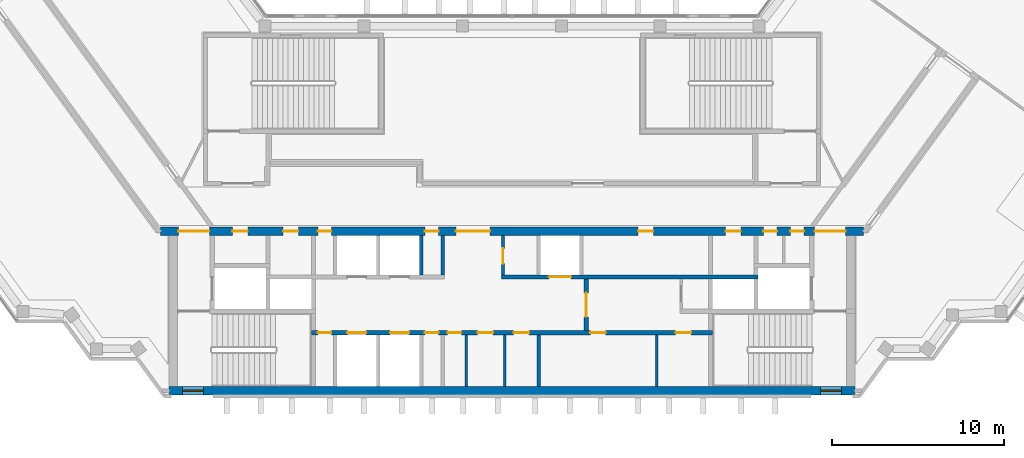
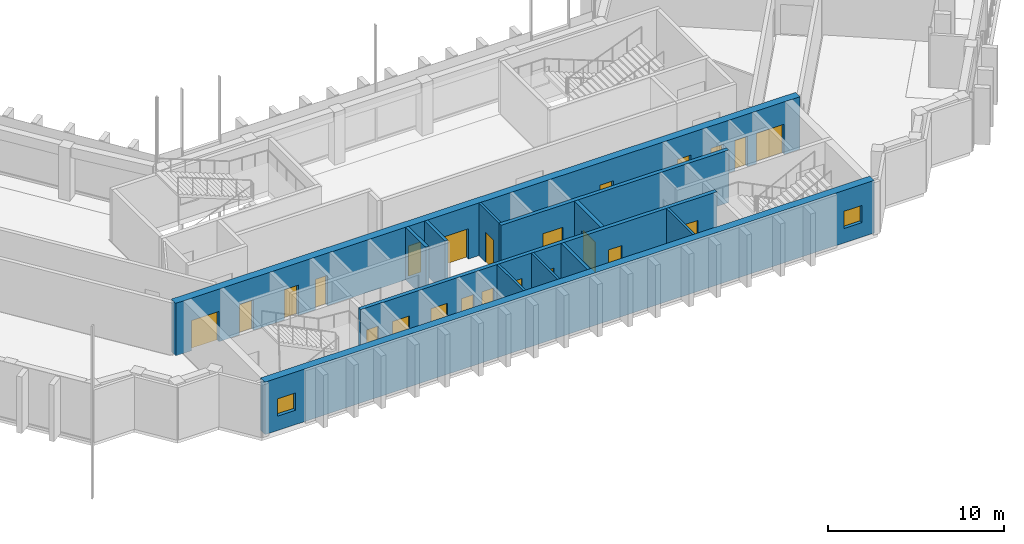
# One storey, part 10 of 14: 23 doors, 12 walls, 2 windows, 25 openings.
"""IFC4 building model written with IfcOpenShell, lengths in metres."""

from ifc_helpers import new_model, si_unit, direction, frame, frame_2d, origin, place, context, subcontext, project, spatial, rectangle, extrude, material, layer, layer_set, type_object, element, fill, save


model = new_model("IFC4")

# Units and contexts
model_context = context("Model", 3, precision=1e-05, world=origin(), true_north=direction((0.0, 1.0)))
body_context = subcontext(model_context, "Body", "Model", "MODEL_VIEW")
ifc_project = project(units=[si_unit("LENGTHUNIT", "METRE"), si_unit("AREAUNIT", "SQUARE_METRE"), si_unit("VOLUMEUNIT", "CUBIC_METRE"), si_unit("PLANEANGLEUNIT", "RADIAN"), si_unit("MASSUNIT", "GRAM", prefix="KILO")], contexts=[model_context])

# Site, building, storey
site_placement = place(None, origin())
site = spatial("IfcSite", under=ifc_project, at=site_placement, CompositionType="ELEMENT")
building_placement = place(site_placement, origin())
building = spatial("IfcBuilding", under=site, at=building_placement, Name="Quipu Civic Tower", CompositionType="ELEMENT")
storey_placement = place(building_placement, frame((0.0, 0.0, 311.0)))
storey = spatial("IfcBuildingStorey", under=building, at=storey_placement, Name="L72", CompositionType="ELEMENT", Elevation=311.0)

# Wall, openings, doors
ifc_material_1 = material(Name="Concrete C70/85", Category="concrete")
ifc_layer_1 = layer(ifc_material_1, 0.25)
ifc_layer_set_1 = layer_set([ifc_layer_1], Name="Concrete C70/85")
wall_type_1 = type_object("IfcWallType", Name="Core wall 250", PredefinedType="SHEAR", material=ifc_layer_set_1)
wall_1_placement = place(storey_placement, frame((11.699951171875, -7.375, 0.0), z_axis=(0.0, 0.0, 1.0), x_axis=(-1.0, 0.0, 0.0)))
wall_1 = element("IfcWall", 1, at=wall_1_placement, inside=storey, type_object=wall_type_1, Name="Core wall", PredefinedType="SHEAR", context=body_context, shape_type="SweptSolid", body=[
    extrude(rectangle(XDim=23.39990234375, YDim=0.25, at=frame_2d((11.699951171875, 0.0))), origin(), (0.0, 0.0, 1.0), 3.64990234375),
])
opening_1_placement = place(wall_1_placement, frame((22.22509765625, 0.0, 0.0)))
opening_1 = element("IfcOpeningElement", 2, at=opening_1_placement, cuts=wall_1, Name="Opening CD-01", PredefinedType="OPENING", context=body_context, shape_type="SweptSolid", body=[
    extrude(rectangle(XDim=0.800048828125, YDim=2.10009765625, at=frame_2d((0.39990234375, 1.050048828125))), frame((0.0, 0.135009765625, 0.0), z_axis=(0.0, -1.0, 0.0), x_axis=(1.0, 0.0, 0.0)), (0.0, 0.0, 1.0), 0.27001953125),
])
opening_2_placement = place(wall_1_placement, frame((20.199951171875, 0.0, 0.0)))
opening_2 = element("IfcOpeningElement", 3, at=opening_2_placement, cuts=wall_1, Name="Opening LD-HL1", PredefinedType="OPENING", context=body_context, shape_type="SweptSolid", body=[
    extrude(rectangle(XDim=1.10009765625, YDim=2.10009765625, at=frame_2d((0.550048828125, 1.050048828125))), frame((0.0, 0.135009765625, 0.0), z_axis=(0.0, -1.0, 0.0), x_axis=(1.0, 0.0, 0.0)), (0.0, 0.0, 1.0), 0.27001953125),
])
opening_3_placement = place(wall_1_placement, frame((17.699951171875, 0.0, 0.0)))
opening_3 = element("IfcOpeningElement", 4, at=opening_3_placement, cuts=wall_1, Name="Opening LD-HL2", PredefinedType="OPENING", context=body_context, shape_type="SweptSolid", body=[
    extrude(rectangle(XDim=1.10009765625, YDim=2.10009765625, at=frame_2d((0.550048828125, 1.050048828125))), frame((0.0, 0.135009765625, 0.0), z_axis=(0.0, -1.0, 0.0), x_axis=(1.0, 0.0, 0.0)), (0.0, 0.0, 1.0), 0.27001953125),
])
opening_4_placement = place(wall_1_placement, frame((15.97509765625, 0.0, 0.0)))
opening_4 = element("IfcOpeningElement", 5, at=opening_4_placement, cuts=wall_1, Name="Opening CD-02", PredefinedType="OPENING", context=body_context, shape_type="SweptSolid", body=[
    extrude(rectangle(XDim=0.800048828125, YDim=2.10009765625, at=frame_2d((0.39990234375, 1.050048828125))), frame((0.0, 0.135009765625, 0.0), z_axis=(0.0, -1.0, 0.0), x_axis=(1.0, 0.0, 0.0)), (0.0, 0.0, 1.0), 0.27001953125),
])
opening_5_placement = place(wall_1_placement, frame((14.64990234375, 0.0, 0.0)))
opening_5 = element("IfcOpeningElement", 6, at=opening_5_placement, cuts=wall_1, Name="Opening CD-03", PredefinedType="OPENING", context=body_context, shape_type="SweptSolid", body=[
    extrude(rectangle(XDim=0.800048828125, YDim=2.10009765625, at=frame_2d((0.39990234375, 1.050048828125))), frame((0.0, 0.135009765625, 0.0), z_axis=(0.0, -1.0, 0.0), x_axis=(1.0, 0.0, 0.0)), (0.0, 0.0, 1.0), 0.27001953125),
])
opening_6_placement = place(wall_1_placement, frame((12.800048828125, 0.0, 0.0)))
opening_6 = element("IfcOpeningElement", 7, at=opening_6_placement, cuts=wall_1, Name="Opening CD-04", PredefinedType="OPENING", context=body_context, shape_type="SweptSolid", body=[
    extrude(rectangle(XDim=0.89990234375, YDim=2.10009765625, at=frame_2d((0.449951171875, 1.050048828125))), frame((0.0, 0.135009765625, 0.0), z_axis=(0.0, -1.0, 0.0), x_axis=(1.0, 0.0, 0.0)), (0.0, 0.0, 1.0), 0.27001953125),
])
opening_7_placement = place(wall_1_placement, frame((10.699951171875, 0.0, 0.0)))
opening_7 = element("IfcOpeningElement", 8, at=opening_7_placement, cuts=wall_1, Name="Opening CD-05", PredefinedType="OPENING", context=body_context, shape_type="SweptSolid", body=[
    extrude(rectangle(XDim=0.89990234375, YDim=2.10009765625, at=frame_2d((0.449951171875, 1.050048828125))), frame((0.0, 0.135009765625, 0.0), z_axis=(0.0, -1.0, 0.0), x_axis=(1.0, 0.0, 0.0)), (0.0, 0.0, 1.0), 0.27001953125),
])
opening_8_placement = place(wall_1_placement, frame((6.237060546875, 0.0, 0.0)))
opening_8 = element("IfcOpeningElement", 9, at=opening_8_placement, cuts=wall_1, Name="Opening CD-06", PredefinedType="OPENING", context=body_context, shape_type="SweptSolid", body=[
    extrude(rectangle(XDim=0.89990234375, YDim=2.10009765625, at=frame_2d((0.449951171875, 1.050048828125))), frame((0.0, 0.135009765625, 0.0), z_axis=(0.0, -1.0, 0.0), x_axis=(1.0, 0.0, 0.0)), (0.0, 0.0, 1.0), 0.27001953125),
])
opening_9_placement = place(wall_1_placement, frame((1.262939453125, 0.0, 0.0)))
opening_9 = element("IfcOpeningElement", 10, at=opening_9_placement, cuts=wall_1, Name="Opening CD-07", PredefinedType="OPENING", context=body_context, shape_type="SweptSolid", body=[
    extrude(rectangle(XDim=0.89990234375, YDim=2.10009765625, at=frame_2d((0.449951171875, 1.050048828125))), frame((0.0, 0.135009765625, 0.0), z_axis=(0.0, -1.0, 0.0), x_axis=(1.0, 0.0, 0.0)), (0.0, 0.0, 1.0), 0.27001953125),
])
ifc_material_2 = material(Name="Fire rated steel door", Category="steel")
door_type_1 = type_object("IfcDoorType", Name="Fire door FD60 800 x 2100", OperationType="NOTDEFINED", PredefinedType="DOOR", material=ifc_material_2)
door_1_placement = place(opening_1_placement, origin())
door_1 = element("IfcDoor", 11, at=door_1_placement, inside=storey, type_object=door_type_1, Name="Door", OperationType="SINGLE_SWING_RIGHT", OverallHeight=2.10009765625, OverallWidth=0.800048828125, PredefinedType="DOOR", context=body_context, shape_type="SweptSolid", body=[
    extrude(rectangle(XDim=0.800048828125, YDim=2.10009765625, at=frame_2d((0.39990234375, 1.050048828125))), frame((0.0, 0.02490234375, 0.0), z_axis=(0.0, -1.0, 0.0), x_axis=(1.0, 0.0, 0.0)), (0.0, 0.0, 1.0), 0.050048828125),
])
fill(opening_1, door_1)
door_2_placement = place(opening_4_placement, origin())
door_2 = element("IfcDoor", 12, at=door_2_placement, inside=storey, type_object=door_type_1, Name="Door", OperationType="SINGLE_SWING_RIGHT", OverallHeight=2.10009765625, OverallWidth=0.800048828125, PredefinedType="DOOR", context=body_context, shape_type="SweptSolid", body=[
    extrude(rectangle(XDim=0.800048828125, YDim=2.10009765625, at=frame_2d((0.39990234375, 1.050048828125))), frame((0.0, 0.02490234375, 0.0), z_axis=(0.0, -1.0, 0.0), x_axis=(1.0, 0.0, 0.0)), (0.0, 0.0, 1.0), 0.050048828125),
])
fill(opening_4, door_2)
door_3_placement = place(opening_5_placement, origin())
door_3 = element("IfcDoor", 13, at=door_3_placement, inside=storey, type_object=door_type_1, Name="Door", OperationType="SINGLE_SWING_RIGHT", OverallHeight=2.10009765625, OverallWidth=0.800048828125, PredefinedType="DOOR", context=body_context, shape_type="SweptSolid", body=[
    extrude(rectangle(XDim=0.800048828125, YDim=2.10009765625, at=frame_2d((0.39990234375, 1.050048828125))), frame((0.0, 0.02490234375, 0.0), z_axis=(0.0, -1.0, 0.0), x_axis=(1.0, 0.0, 0.0)), (0.0, 0.0, 1.0), 0.050048828125),
])
fill(opening_5, door_3)
ifc_material_3 = material(Name="Fire rated steel door", Category="steel")
door_type_2 = type_object("IfcDoorType", Name="Fire door FD60 900 x 2100", OperationType="NOTDEFINED", PredefinedType="DOOR", material=ifc_material_3)
door_4_placement = place(opening_6_placement, origin())
door_4 = element("IfcDoor", 14, at=door_4_placement, inside=storey, type_object=door_type_2, Name="WC door", OperationType="SINGLE_SWING_RIGHT", OverallHeight=2.10009765625, OverallWidth=0.89990234375, PredefinedType="DOOR", context=body_context, shape_type="SweptSolid", body=[
    extrude(rectangle(XDim=0.89990234375, YDim=2.10009765625, at=frame_2d((0.449951171875, 1.050048828125))), frame((0.0, 0.02490234375, 0.0), z_axis=(0.0, -1.0, 0.0), x_axis=(1.0, 0.0, 0.0)), (0.0, 0.0, 1.0), 0.050048828125),
])
fill(opening_6, door_4)
door_5_placement = place(opening_7_placement, origin())
door_5 = element("IfcDoor", 15, at=door_5_placement, inside=storey, type_object=door_type_2, Name="WC door", OperationType="SINGLE_SWING_LEFT", OverallHeight=2.10009765625, OverallWidth=0.89990234375, PredefinedType="DOOR", context=body_context, shape_type="SweptSolid", body=[
    extrude(rectangle(XDim=0.89990234375, YDim=2.10009765625, at=frame_2d((0.449951171875, 1.050048828125))), frame((0.0, 0.02490234375, 0.0), z_axis=(0.0, -1.0, 0.0), x_axis=(1.0, 0.0, 0.0)), (0.0, 0.0, 1.0), 0.050048828125),
])
fill(opening_7, door_5)
door_6_placement = place(opening_8_placement, origin())
door_6 = element("IfcDoor", 16, at=door_6_placement, inside=storey, type_object=door_type_2, Name="Door", OperationType="SINGLE_SWING_LEFT", OverallHeight=2.10009765625, OverallWidth=0.89990234375, PredefinedType="DOOR", context=body_context, shape_type="SweptSolid", body=[
    extrude(rectangle(XDim=0.89990234375, YDim=2.10009765625, at=frame_2d((0.449951171875, 1.050048828125))), frame((0.0, 0.02490234375, 0.0), z_axis=(0.0, -1.0, 0.0), x_axis=(1.0, 0.0, 0.0)), (0.0, 0.0, 1.0), 0.050048828125),
])
fill(opening_8, door_6)
door_7_placement = place(opening_9_placement, origin())
door_7 = element("IfcDoor", 17, at=door_7_placement, inside=storey, type_object=door_type_2, Name="Door", OperationType="SINGLE_SWING_LEFT", OverallHeight=2.10009765625, OverallWidth=0.89990234375, PredefinedType="DOOR", context=body_context, shape_type="SweptSolid", body=[
    extrude(rectangle(XDim=0.89990234375, YDim=2.10009765625, at=frame_2d((0.449951171875, 1.050048828125))), frame((0.0, 0.02490234375, 0.0), z_axis=(0.0, -1.0, 0.0), x_axis=(1.0, 0.0, 0.0)), (0.0, 0.0, 1.0), 0.050048828125),
])
fill(opening_9, door_7)
ifc_material_4 = material(Name="Stainless steel", Category="steel")
door_type_3 = type_object("IfcDoorType", Name="Lift landing door 1100 x 2100", OperationType="DOUBLE_DOOR_SLIDING", PredefinedType="DOOR", material=ifc_material_4)
door_8_placement = place(opening_2_placement, origin())
door_8 = element("IfcDoor", 18, at=door_8_placement, inside=storey, type_object=door_type_3, Name="Landing door HL1", OperationType="DOUBLE_DOOR_SLIDING", OverallHeight=2.10009765625, OverallWidth=1.10009765625, PredefinedType="DOOR", context=body_context, shape_type="SweptSolid", body=[
    extrude(rectangle(XDim=1.10009765625, YDim=2.10009765625, at=frame_2d((0.550048828125, 1.050048828125))), frame((0.0, 0.02490234375, 0.0), z_axis=(0.0, -1.0, 0.0), x_axis=(1.0, 0.0, 0.0)), (0.0, 0.0, 1.0), 0.050048828125),
])
fill(opening_2, door_8)
door_9_placement = place(opening_3_placement, origin())
door_9 = element("IfcDoor", 19, at=door_9_placement, inside=storey, type_object=door_type_3, Name="Landing door HL2", OperationType="DOUBLE_DOOR_SLIDING", OverallHeight=2.10009765625, OverallWidth=1.10009765625, PredefinedType="DOOR", context=body_context, shape_type="SweptSolid", body=[
    extrude(rectangle(XDim=1.10009765625, YDim=2.10009765625, at=frame_2d((0.550048828125, 1.050048828125))), frame((0.0, 0.02490234375, 0.0), z_axis=(0.0, -1.0, 0.0), x_axis=(1.0, 0.0, 0.0)), (0.0, 0.0, 1.0), 0.050048828125),
])
fill(opening_3, door_9)

# Wall, opening, door
wall_2_placement = place(storey_placement, frame((4.324951171875, -7.25, 0.0), z_axis=(0.0, 0.0, 1.0), x_axis=(0.0, 1.0, 0.0)))
wall_2 = element("IfcWall", 20, at=wall_2_placement, inside=storey, type_object=wall_type_1, Name="Core wall", PredefinedType="SHEAR", context=body_context, shape_type="SweptSolid", body=[
    extrude(rectangle(XDim=3.0, YDim=0.25, at=frame_2d((1.5, 0.0))), origin(), (0.0, 0.0, 1.0), 3.64990234375),
])
opening_10_placement = place(wall_2_placement, frame((0.800048828125, 0.0, 0.0)))
opening_10 = element("IfcOpeningElement", 21, at=opening_10_placement, cuts=wall_2, Name="Opening CD-10", PredefinedType="OPENING", context=body_context, shape_type="SweptSolid", body=[
    extrude(rectangle(XDim=1.39990234375, YDim=2.10009765625, at=frame_2d((0.699951171875, 1.050048828125))), frame((0.0, 0.135009765625, 0.0), z_axis=(0.0, -1.0, 0.0), x_axis=(1.0, 0.0, 0.0)), (0.0, 0.0, 1.0), 0.27001953125),
])
ifc_material_5 = material(Name="Fire rated steel door", Category="steel")
door_type_4 = type_object("IfcDoorType", Name="Fire door FD60 double 1400 x 2100", OperationType="NOTDEFINED", PredefinedType="DOOR", material=ifc_material_5)
door_10_placement = place(opening_10_placement, origin())
door_10 = element("IfcDoor", 22, at=door_10_placement, inside=storey, type_object=door_type_4, Name="Hall door", OperationType="DOUBLE_DOOR_SINGLE_SWING", OverallHeight=2.10009765625, OverallWidth=1.39990234375, PredefinedType="DOOR", context=body_context, shape_type="SweptSolid", body=[
    extrude(rectangle(XDim=1.39990234375, YDim=2.10009765625, at=frame_2d((0.699951171875, 1.050048828125))), frame((0.0, 0.02490234375, 0.0), z_axis=(0.0, -1.0, 0.0), x_axis=(1.0, 0.0, 0.0)), (0.0, 0.0, 1.0), 0.050048828125),
])
fill(opening_10, door_10)

wall_3_placement = place(storey_placement, frame((-0.60009765625, -4.125, 0.0), z_axis=(0.0, 0.0, 1.0), x_axis=(1.0, 0.0, 0.0)))
wall_3 = element("IfcWall", 23, at=wall_3_placement, inside=storey, type_object=wall_type_1, Name="Core wall", PredefinedType="SHEAR", context=body_context, shape_type="SweptSolid", body=[
    extrude(rectangle(XDim=14.9501953125, YDim=0.25, at=frame_2d((7.47509765625, 0.0))), origin(), (0.0, 0.0, 1.0), 3.64990234375),
])
opening_11_placement = place(wall_3_placement, frame((2.75, 0.0, 0.0)))
opening_11 = element("IfcOpeningElement", 24, at=opening_11_placement, cuts=wall_3, Name="Opening LD-FF3", PredefinedType="OPENING", context=body_context, shape_type="SweptSolid", body=[
    extrude(rectangle(XDim=1.300048828125, YDim=2.10009765625, at=frame_2d((0.64990234375, 1.050048828125))), frame((0.0, 0.135009765625, 0.0), z_axis=(0.0, -1.0, 0.0), x_axis=(1.0, 0.0, 0.0)), (0.0, 0.0, 1.0), 0.27001953125),
])
ifc_material_6 = material(Name="Stainless steel", Category="steel")
door_type_5 = type_object("IfcDoorType", Name="Lift landing door 1300 x 2100", OperationType="DOUBLE_DOOR_SLIDING", PredefinedType="DOOR", material=ifc_material_6)
door_11_placement = place(opening_11_placement, origin())
door_11 = element("IfcDoor", 25, at=door_11_placement, inside=storey, type_object=door_type_5, Name="Landing door FF3", OperationType="DOUBLE_DOOR_SLIDING", OverallHeight=2.10009765625, OverallWidth=1.300048828125, PredefinedType="DOOR", context=body_context, shape_type="SweptSolid", body=[
    extrude(rectangle(XDim=1.300048828125, YDim=2.10009765625, at=frame_2d((0.64990234375, 1.050048828125))), frame((0.0, 0.02490234375, 0.0), z_axis=(0.0, -1.0, 0.0), x_axis=(1.0, 0.0, 0.0)), (0.0, 0.0, 1.0), 0.050048828125),
])
fill(opening_11, door_11)

# Wall, openings, windows
ifc_material_7 = material(Name="Concrete C70/85", Category="concrete")
ifc_layer_2 = layer(ifc_material_7, 0.5)
ifc_layer_set_2 = layer_set([ifc_layer_2], Name="Concrete C70/85")
wall_type_2 = type_object("IfcWallType", Name="Core wall 500", PredefinedType="SHEAR", material=ifc_layer_set_2)
wall_4_placement = place(storey_placement, frame((-20.0, -10.75, 0.0), z_axis=(0.0, 0.0, 1.0), x_axis=(1.0, 0.0, 0.0)))
wall_4 = element("IfcWall", 26, at=wall_4_placement, inside=storey, type_object=wall_type_2, Name="Core wall", PredefinedType="SHEAR", context=body_context, shape_type="SweptSolid", body=[
    extrude(rectangle(XDim=40.0, YDim=0.5, at=frame_2d((20.0, 0.0))), origin(), (0.0, 0.0, 1.0), 3.64990234375),
])
opening_12_placement = place(wall_4_placement, frame((0.800048828125, 0.0, 1.0)))
opening_12 = element("IfcOpeningElement", 27, at=opening_12_placement, cuts=wall_4, Name="Opening SV-1", PredefinedType="OPENING", context=body_context, shape_type="SweptSolid", body=[
    extrude(rectangle(XDim=1.199951171875, YDim=1.199951171875, at=frame_2d((0.60009765625, 0.60009765625))), frame((0.0, 0.260009765625, 0.0), z_axis=(0.0, -1.0, 0.0), x_axis=(1.0, 0.0, 0.0)), (0.0, 0.0, 1.0), 0.52001953125),
])
opening_13_placement = place(wall_4_placement, frame((38.0, 0.0, 1.0)))
opening_13 = element("IfcOpeningElement", 28, at=opening_13_placement, cuts=wall_4, Name="Opening SV-2", PredefinedType="OPENING", context=body_context, shape_type="SweptSolid", body=[
    extrude(rectangle(XDim=1.199951171875, YDim=1.199951171875, at=frame_2d((0.60009765625, 0.60009765625))), frame((0.0, 0.260009765625, 0.0), z_axis=(0.0, -1.0, 0.0), x_axis=(1.0, 0.0, 0.0)), (0.0, 0.0, 1.0), 0.52001953125),
])
ifc_material_8 = material(Name="Aluminium louvre", Category="aluminium")
window_type = type_object("IfcWindowType", Name="Stair ventilation louvre 1200 x 1200", PartitioningType="SINGLE_PANEL", PredefinedType="WINDOW", material=ifc_material_8)
window_1_placement = place(opening_12_placement, origin())
window_1 = element("IfcWindow", 29, at=window_1_placement, inside=storey, type_object=window_type, Name="Stair ventilation opening", OverallHeight=1.199951171875, OverallWidth=1.199951171875, PartitioningType="SINGLE_PANEL", PredefinedType="WINDOW", context=body_context, shape_type="SweptSolid", body=[
    extrude(rectangle(XDim=1.199951171875, YDim=1.199951171875, at=frame_2d((0.60009765625, 0.60009765625))), frame((0.0, 0.030029296875, 0.0), z_axis=(0.0, -1.0, 0.0), x_axis=(1.0, 0.0, 0.0)), (0.0, 0.0, 1.0), 0.06005859375),
])
fill(opening_12, window_1)
window_2_placement = place(opening_13_placement, origin())
window_2 = element("IfcWindow", 30, at=window_2_placement, inside=storey, type_object=window_type, Name="Stair ventilation opening", OverallHeight=1.199951171875, OverallWidth=1.199951171875, PartitioningType="SINGLE_PANEL", PredefinedType="WINDOW", context=body_context, shape_type="SweptSolid", body=[
    extrude(rectangle(XDim=1.199951171875, YDim=1.199951171875, at=frame_2d((0.60009765625, 0.60009765625))), frame((0.0, 0.030029296875, 0.0), z_axis=(0.0, -1.0, 0.0), x_axis=(1.0, 0.0, 0.0)), (0.0, 0.0, 1.0), 0.06005859375),
])
fill(opening_13, window_2)

# Wall, openings, doors
wall_5_placement = place(storey_placement, frame((20.489990234375, -1.449951171875, 0.0), z_axis=(0.0, 0.0, 1.0), x_axis=(-1.0, 0.0, 0.0)))
wall_5 = element("IfcWall", 31, at=wall_5_placement, inside=storey, type_object=wall_type_2, Name="Core wall", PredefinedType="SHEAR", context=body_context, shape_type="SweptSolid", body=[
    extrude(rectangle(XDim=40.97998046875, YDim=0.5, at=frame_2d((20.489990234375, 0.0))), origin(), (0.0, 0.0, 1.0), 3.64990234375),
])
opening_14_placement = place(wall_5_placement, frame((38.139892578125, 0.0, 0.0)))
opening_14 = element("IfcOpeningElement", 32, at=opening_14_placement, cuts=wall_5, Name="Opening CD-13", PredefinedType="OPENING", context=body_context, shape_type="SweptSolid", body=[
    extrude(rectangle(XDim=1.800048828125, YDim=2.10009765625, at=frame_2d((0.89990234375, 1.050048828125))), frame((0.0, 0.260009765625, 0.0), z_axis=(0.0, -1.0, 0.0), x_axis=(1.0, 0.0, 0.0)), (0.0, 0.0, 1.0), 0.52001953125),
])
opening_15_placement = place(wall_5_placement, frame((35.889892578125, 0.0, 0.0)))
opening_15 = element("IfcOpeningElement", 33, at=opening_15_placement, cuts=wall_5, Name="Opening CD-14", PredefinedType="OPENING", context=body_context, shape_type="SweptSolid", body=[
    extrude(rectangle(XDim=0.89990234375, YDim=2.10009765625, at=frame_2d((0.449951171875, 1.050048828125))), frame((0.0, 0.260009765625, 0.0), z_axis=(0.0, -1.0, 0.0), x_axis=(1.0, 0.0, 0.0)), (0.0, 0.0, 1.0), 0.52001953125),
])
opening_16_placement = place(wall_5_placement, frame((32.93994140625, 0.0, 0.0)))
opening_16 = element("IfcOpeningElement", 34, at=opening_16_placement, cuts=wall_5, Name="Opening CD-15", PredefinedType="OPENING", context=body_context, shape_type="SweptSolid", body=[
    extrude(rectangle(XDim=0.89990234375, YDim=2.10009765625, at=frame_2d((0.449951171875, 1.050048828125))), frame((0.0, 0.260009765625, 0.0), z_axis=(0.0, -1.0, 0.0), x_axis=(1.0, 0.0, 0.0)), (0.0, 0.0, 1.0), 0.52001953125),
])
opening_17_placement = place(wall_5_placement, frame((31.014892578125, 0.0, 0.0)))
opening_17 = element("IfcOpeningElement", 35, at=opening_17_placement, cuts=wall_5, Name="Opening CD-16", PredefinedType="OPENING", context=body_context, shape_type="SweptSolid", body=[
    extrude(rectangle(XDim=0.800048828125, YDim=2.10009765625, at=frame_2d((0.39990234375, 1.050048828125))), frame((0.0, 0.260009765625, 0.0), z_axis=(0.0, -1.0, 0.0), x_axis=(1.0, 0.0, 0.0)), (0.0, 0.0, 1.0), 0.52001953125),
])
opening_18_placement = place(wall_5_placement, frame((24.764892578125, 0.0, 0.0)))
opening_18 = element("IfcOpeningElement", 36, at=opening_18_placement, cuts=wall_5, Name="Opening CD-17", PredefinedType="OPENING", context=body_context, shape_type="SweptSolid", body=[
    extrude(rectangle(XDim=0.800048828125, YDim=2.10009765625, at=frame_2d((0.39990234375, 1.050048828125))), frame((0.0, 0.260009765625, 0.0), z_axis=(0.0, -1.0, 0.0), x_axis=(1.0, 0.0, 0.0)), (0.0, 0.0, 1.0), 0.52001953125),
])
opening_19_placement = place(wall_5_placement, frame((21.764892578125, 0.0, 0.0)))
opening_19 = element("IfcOpeningElement", 37, at=opening_19_placement, cuts=wall_5, Name="Opening CD-18", PredefinedType="OPENING", context=body_context, shape_type="SweptSolid", body=[
    extrude(rectangle(XDim=2.0, YDim=2.10009765625, at=frame_2d((1.0, 1.050048828125))), frame((0.0, 0.260009765625, 0.0), z_axis=(0.0, -1.0, 0.0), x_axis=(1.0, 0.0, 0.0)), (0.0, 0.0, 1.0), 0.52001953125),
])
opening_20_placement = place(wall_5_placement, frame((12.239990234375, 0.0, 0.0)))
opening_20 = element("IfcOpeningElement", 38, at=opening_20_placement, cuts=wall_5, Name="Opening CD-19", PredefinedType="OPENING", context=body_context, shape_type="SweptSolid", body=[
    extrude(rectangle(XDim=0.89990234375, YDim=2.10009765625, at=frame_2d((0.449951171875, 1.050048828125))), frame((0.0, 0.260009765625, 0.0), z_axis=(0.0, -1.0, 0.0), x_axis=(1.0, 0.0, 0.0)), (0.0, 0.0, 1.0), 0.52001953125),
])
opening_21_placement = place(wall_5_placement, frame((7.139892578125, 0.0, 0.0)))
opening_21 = element("IfcOpeningElement", 39, at=opening_21_placement, cuts=wall_5, Name="Opening CD-20", PredefinedType="OPENING", context=body_context, shape_type="SweptSolid", body=[
    extrude(rectangle(XDim=0.89990234375, YDim=2.10009765625, at=frame_2d((0.449951171875, 1.050048828125))), frame((0.0, 0.260009765625, 0.0), z_axis=(0.0, -1.0, 0.0), x_axis=(1.0, 0.0, 0.0)), (0.0, 0.0, 1.0), 0.52001953125),
])
opening_22_placement = place(wall_5_placement, frame((5.027587890625, 0.0, 0.0)))
opening_22 = element("IfcOpeningElement", 40, at=opening_22_placement, cuts=wall_5, Name="Opening CD-21", PredefinedType="OPENING", context=body_context, shape_type="SweptSolid", body=[
    extrude(rectangle(XDim=0.800048828125, YDim=2.10009765625, at=frame_2d((0.39990234375, 1.050048828125))), frame((0.0, 0.260009765625, 0.0), z_axis=(0.0, -1.0, 0.0), x_axis=(1.0, 0.0, 0.0)), (0.0, 0.0, 1.0), 0.52001953125),
])
opening_23_placement = place(wall_5_placement, frame((3.452392578125, 0.0, 0.0)))
opening_23 = element("IfcOpeningElement", 41, at=opening_23_placement, cuts=wall_5, Name="Opening CD-22", PredefinedType="OPENING", context=body_context, shape_type="SweptSolid", body=[
    extrude(rectangle(XDim=0.800048828125, YDim=2.10009765625, at=frame_2d((0.39990234375, 1.050048828125))), frame((0.0, 0.260009765625, 0.0), z_axis=(0.0, -1.0, 0.0), x_axis=(1.0, 0.0, 0.0)), (0.0, 0.0, 1.0), 0.52001953125),
])
opening_24_placement = place(wall_5_placement, frame((1.0400390625, 0.0, 0.0)))
opening_24 = element("IfcOpeningElement", 42, at=opening_24_placement, cuts=wall_5, Name="Opening CD-23", PredefinedType="OPENING", context=body_context, shape_type="SweptSolid", body=[
    extrude(rectangle(XDim=1.800048828125, YDim=2.10009765625, at=frame_2d((0.89990234375, 1.050048828125))), frame((0.0, 0.260009765625, 0.0), z_axis=(0.0, -1.0, 0.0), x_axis=(1.0, 0.0, 0.0)), (0.0, 0.0, 1.0), 0.52001953125),
])
door_12_placement = place(opening_17_placement, origin())
door_12 = element("IfcDoor", 43, at=door_12_placement, inside=storey, type_object=door_type_1, Name="Door", OperationType="SINGLE_SWING_RIGHT", OverallHeight=2.10009765625, OverallWidth=0.800048828125, PredefinedType="DOOR", context=body_context, shape_type="SweptSolid", body=[
    extrude(rectangle(XDim=0.800048828125, YDim=2.10009765625, at=frame_2d((0.39990234375, 1.050048828125))), frame((0.0, 0.02490234375, 0.0), z_axis=(0.0, -1.0, 0.0), x_axis=(1.0, 0.0, 0.0)), (0.0, 0.0, 1.0), 0.050048828125),
])
fill(opening_17, door_12)
door_13_placement = place(opening_18_placement, origin())
door_13 = element("IfcDoor", 44, at=door_13_placement, inside=storey, type_object=door_type_1, Name="Door", OperationType="SINGLE_SWING_RIGHT", OverallHeight=2.10009765625, OverallWidth=0.800048828125, PredefinedType="DOOR", context=body_context, shape_type="SweptSolid", body=[
    extrude(rectangle(XDim=0.800048828125, YDim=2.10009765625, at=frame_2d((0.39990234375, 1.050048828125))), frame((0.0, 0.02490234375, 0.0), z_axis=(0.0, -1.0, 0.0), x_axis=(1.0, 0.0, 0.0)), (0.0, 0.0, 1.0), 0.050048828125),
])
fill(opening_18, door_13)
door_14_placement = place(opening_22_placement, origin())
door_14 = element("IfcDoor", 45, at=door_14_placement, inside=storey, type_object=door_type_1, Name="Door", OperationType="SINGLE_SWING_LEFT", OverallHeight=2.10009765625, OverallWidth=0.800048828125, PredefinedType="DOOR", context=body_context, shape_type="SweptSolid", body=[
    extrude(rectangle(XDim=0.800048828125, YDim=2.10009765625, at=frame_2d((0.39990234375, 1.050048828125))), frame((0.0, 0.02490234375, 0.0), z_axis=(0.0, -1.0, 0.0), x_axis=(1.0, 0.0, 0.0)), (0.0, 0.0, 1.0), 0.050048828125),
])
fill(opening_22, door_14)
door_15_placement = place(opening_23_placement, origin())
door_15 = element("IfcDoor", 46, at=door_15_placement, inside=storey, type_object=door_type_1, Name="Door", OperationType="SINGLE_SWING_LEFT", OverallHeight=2.10009765625, OverallWidth=0.800048828125, PredefinedType="DOOR", context=body_context, shape_type="SweptSolid", body=[
    extrude(rectangle(XDim=0.800048828125, YDim=2.10009765625, at=frame_2d((0.39990234375, 1.050048828125))), frame((0.0, 0.02490234375, 0.0), z_axis=(0.0, -1.0, 0.0), x_axis=(1.0, 0.0, 0.0)), (0.0, 0.0, 1.0), 0.050048828125),
])
fill(opening_23, door_15)
door_16_placement = place(opening_15_placement, origin())
door_16 = element("IfcDoor", 47, at=door_16_placement, inside=storey, type_object=door_type_2, Name="Door", OperationType="SINGLE_SWING_RIGHT", OverallHeight=2.10009765625, OverallWidth=0.89990234375, PredefinedType="DOOR", context=body_context, shape_type="SweptSolid", body=[
    extrude(rectangle(XDim=0.89990234375, YDim=2.10009765625, at=frame_2d((0.449951171875, 1.050048828125))), frame((0.0, 0.02490234375, 0.0), z_axis=(0.0, -1.0, 0.0), x_axis=(1.0, 0.0, 0.0)), (0.0, 0.0, 1.0), 0.050048828125),
])
fill(opening_15, door_16)
door_17_placement = place(opening_16_placement, origin())
door_17 = element("IfcDoor", 48, at=door_17_placement, inside=storey, type_object=door_type_2, Name="Riser door", OperationType="SINGLE_SWING_RIGHT", OverallHeight=2.10009765625, OverallWidth=0.89990234375, PredefinedType="DOOR", context=body_context, shape_type="SweptSolid", body=[
    extrude(rectangle(XDim=0.89990234375, YDim=2.10009765625, at=frame_2d((0.449951171875, 1.050048828125))), frame((0.0, 0.02490234375, 0.0), z_axis=(0.0, -1.0, 0.0), x_axis=(1.0, 0.0, 0.0)), (0.0, 0.0, 1.0), 0.050048828125),
])
fill(opening_16, door_17)
door_18_placement = place(opening_20_placement, origin())
door_18 = element("IfcDoor", 49, at=door_18_placement, inside=storey, type_object=door_type_2, Name="Door", OperationType="SINGLE_SWING_LEFT", OverallHeight=2.10009765625, OverallWidth=0.89990234375, PredefinedType="DOOR", context=body_context, shape_type="SweptSolid", body=[
    extrude(rectangle(XDim=0.89990234375, YDim=2.10009765625, at=frame_2d((0.449951171875, 1.050048828125))), frame((0.0, 0.02490234375, 0.0), z_axis=(0.0, -1.0, 0.0), x_axis=(1.0, 0.0, 0.0)), (0.0, 0.0, 1.0), 0.050048828125),
])
fill(opening_20, door_18)
door_19_placement = place(opening_21_placement, origin())
door_19 = element("IfcDoor", 50, at=door_19_placement, inside=storey, type_object=door_type_2, Name="Riser door", OperationType="SINGLE_SWING_LEFT", OverallHeight=2.10009765625, OverallWidth=0.89990234375, PredefinedType="DOOR", context=body_context, shape_type="SweptSolid", body=[
    extrude(rectangle(XDim=0.89990234375, YDim=2.10009765625, at=frame_2d((0.449951171875, 1.050048828125))), frame((0.0, 0.02490234375, 0.0), z_axis=(0.0, -1.0, 0.0), x_axis=(1.0, 0.0, 0.0)), (0.0, 0.0, 1.0), 0.050048828125),
])
fill(opening_21, door_19)
ifc_material_9 = material(Name="Fire rated steel door", Category="steel")
door_type_6 = type_object("IfcDoorType", Name="Fire door FD90 double 1800 x 2100", OperationType="NOTDEFINED", PredefinedType="DOOR", material=ifc_material_9)
door_20_placement = place(opening_14_placement, origin())
door_20 = element("IfcDoor", 51, at=door_20_placement, inside=storey, type_object=door_type_6, Name="Lobby door", OperationType="DOUBLE_DOOR_SINGLE_SWING", OverallHeight=2.10009765625, OverallWidth=1.800048828125, PredefinedType="DOOR", context=body_context, shape_type="SweptSolid", body=[
    extrude(rectangle(XDim=1.800048828125, YDim=2.10009765625, at=frame_2d((0.89990234375, 1.050048828125))), frame((0.0, 0.02490234375, 0.0), z_axis=(0.0, -1.0, 0.0), x_axis=(1.0, 0.0, 0.0)), (0.0, 0.0, 1.0), 0.050048828125),
])
fill(opening_14, door_20)
door_21_placement = place(opening_24_placement, origin())
door_21 = element("IfcDoor", 52, at=door_21_placement, inside=storey, type_object=door_type_6, Name="Lobby door", OperationType="DOUBLE_DOOR_SINGLE_SWING", OverallHeight=2.10009765625, OverallWidth=1.800048828125, PredefinedType="DOOR", context=body_context, shape_type="SweptSolid", body=[
    extrude(rectangle(XDim=1.800048828125, YDim=2.10009765625, at=frame_2d((0.89990234375, 1.050048828125))), frame((0.0, 0.02490234375, 0.0), z_axis=(0.0, -1.0, 0.0), x_axis=(1.0, 0.0, 0.0)), (0.0, 0.0, 1.0), 0.050048828125),
])
fill(opening_24, door_21)
ifc_material_10 = material(Name="Fire rated steel door", Category="steel")
door_type_7 = type_object("IfcDoorType", Name="Fire door FD90 double 2000 x 2100", OperationType="NOTDEFINED", PredefinedType="DOOR", material=ifc_material_10)
door_22_placement = place(opening_19_placement, origin())
door_22 = element("IfcDoor", 53, at=door_22_placement, inside=storey, type_object=door_type_7, Name="Lobby door", OperationType="DOUBLE_DOOR_SINGLE_SWING", OverallHeight=2.10009765625, OverallWidth=2.0, PredefinedType="DOOR", context=body_context, shape_type="SweptSolid", body=[
    extrude(rectangle(XDim=2.0, YDim=2.10009765625, at=frame_2d((1.0, 1.050048828125))), frame((0.0, 0.02490234375, 0.0), z_axis=(0.0, -1.0, 0.0), x_axis=(1.0, 0.0, 0.0)), (0.0, 0.0, 1.0), 0.050048828125),
])
fill(opening_19, door_22)

# Walls
ifc_material_11 = material(Name="Gypsum board partition")
ifc_layer_3 = layer(ifc_material_11, 0.14990234375)
ifc_layer_set_3 = layer_set([ifc_layer_3], Name="Gypsum board partition")
wall_type_3 = type_object("IfcWallType", Name="Partition 150", PredefinedType="PARTITIONING", material=ifc_layer_set_3)
for number, where, z_axis, x_axis, name in (
    (54, (-2.675048828125, -10.5, 0.0), (0.0, 0.0, 1.0), (0.0, 1.0, 0.0), "Partition"),
    (55, (-0.425048828125, -10.5, 0.0), (0.0, 0.0, 1.0), (0.0, 1.0, 0.0), "Partition"),
    (56, (8.449951171875, -10.5, 0.0), (0.0, 0.0, 1.0), (0.0, 1.0, 0.0), "Partition"),
):
    element("IfcWall", number, at=place(storey_placement, frame(where, z_axis=z_axis, x_axis=x_axis)), inside=storey, type_object=wall_type_3, Name=name, PredefinedType="PARTITIONING", context=body_context, shape_type="SweptSolid", body=[
        extrude(rectangle(XDim=3.0, YDim=0.14990234375, at=frame_2d((1.5, 0.0))), origin(), (0.0, 0.0, 1.0), 3.64990234375),
    ])

# Wall, opening, door
wall_6_placement = place(storey_placement, frame((-0.52490234375, -4.0, 0.0), z_axis=(0.0, 0.0, 1.0), x_axis=(0.0, 1.0, 0.0)))
wall_6 = element("IfcWall", 57, at=wall_6_placement, inside=storey, type_object=wall_type_3, Name="Partition", PredefinedType="PARTITIONING", context=body_context, shape_type="SweptSolid", body=[
    extrude(rectangle(XDim=2.300048828125, YDim=0.14990234375, at=frame_2d((1.14990234375, 0.0))), origin(), (0.0, 0.0, 1.0), 3.64990234375),
])
opening_25_placement = place(wall_6_placement, frame((0.64990234375, 0.0, 0.0)))
opening_25 = element("IfcOpeningElement", 58, at=opening_25_placement, cuts=wall_6, Name="Opening CD-12", PredefinedType="OPENING", context=body_context, shape_type="SweptSolid", body=[
    extrude(rectangle(XDim=0.89990234375, YDim=2.10009765625, at=frame_2d((0.449951171875, 1.050048828125))), frame((0.0, 0.0849609375, 0.0), z_axis=(0.0, -1.0, 0.0), x_axis=(1.0, 0.0, 0.0)), (0.0, 0.0, 1.0), 0.169921875),
])
door_23_placement = place(opening_25_placement, origin())
door_23 = element("IfcDoor", 59, at=door_23_placement, inside=storey, type_object=door_type_2, Name="WC door", OperationType="SINGLE_SWING_LEFT", OverallHeight=2.10009765625, OverallWidth=0.89990234375, PredefinedType="DOOR", context=body_context, shape_type="SweptSolid", body=[
    extrude(rectangle(XDim=0.89990234375, YDim=2.10009765625, at=frame_2d((0.449951171875, 1.050048828125))), frame((0.0, 0.02490234375, 0.0), z_axis=(0.0, -1.0, 0.0), x_axis=(1.0, 0.0, 0.0)), (0.0, 0.0, 1.0), 0.050048828125),
])
fill(opening_25, door_23)

# Walls
ifc_material_12 = material(Name="Concrete C40/50", Category="concrete")
ifc_layer_4 = layer(ifc_material_12, 0.199951171875)
ifc_layer_set_4 = layer_set([ifc_layer_4], Name="Concrete C40/50")
wall_type_4 = type_object("IfcWallType", Name="Shaft wall 200", PredefinedType="SOLIDWALL", material=ifc_layer_set_4)
wall_7_placement = place(storey_placement, frame((1.550048828125, -10.5, 0.0), z_axis=(0.0, 0.0, 1.0), x_axis=(0.0, 1.0, 0.0)))
element("IfcWall", 60, at=wall_7_placement, inside=storey, type_object=wall_type_4, Name="Shaft wall", PredefinedType="SOLIDWALL", context=body_context, shape_type="SweptSolid", body=[
    extrude(rectangle(XDim=3.0, YDim=0.199951171875, at=frame_2d((1.5, 0.0))), origin(), (0.0, 0.0, 1.0), 3.64990234375),
])
for number, where, z_axis, x_axis, name in (
    (61, (-5.300048828125, -4.0, 0.0), (0.0, 0.0, 1.0), (0.0, 1.0, 0.0), "Shaft wall"),
    (62, (-4.050048828125, -4.0, 0.0), (0.0, 0.0, 1.0), (0.0, 1.0, 0.0), "Shaft wall"),
):
    element("IfcWall", number, at=place(storey_placement, frame(where, z_axis=z_axis, x_axis=x_axis)), inside=storey, type_object=wall_type_4, Name=name, PredefinedType="SOLIDWALL", context=body_context, shape_type="SweptSolid", body=[
        extrude(rectangle(XDim=2.300048828125, YDim=0.199951171875, at=frame_2d((1.14990234375, 0.0))), origin(), (0.0, 0.0, 1.0), 3.64990234375),
    ])

save(model, "model.ifc")
